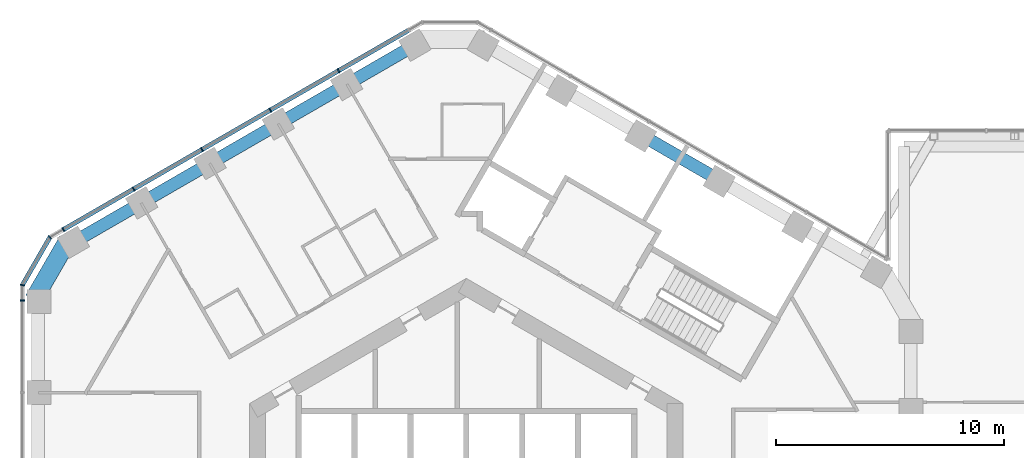
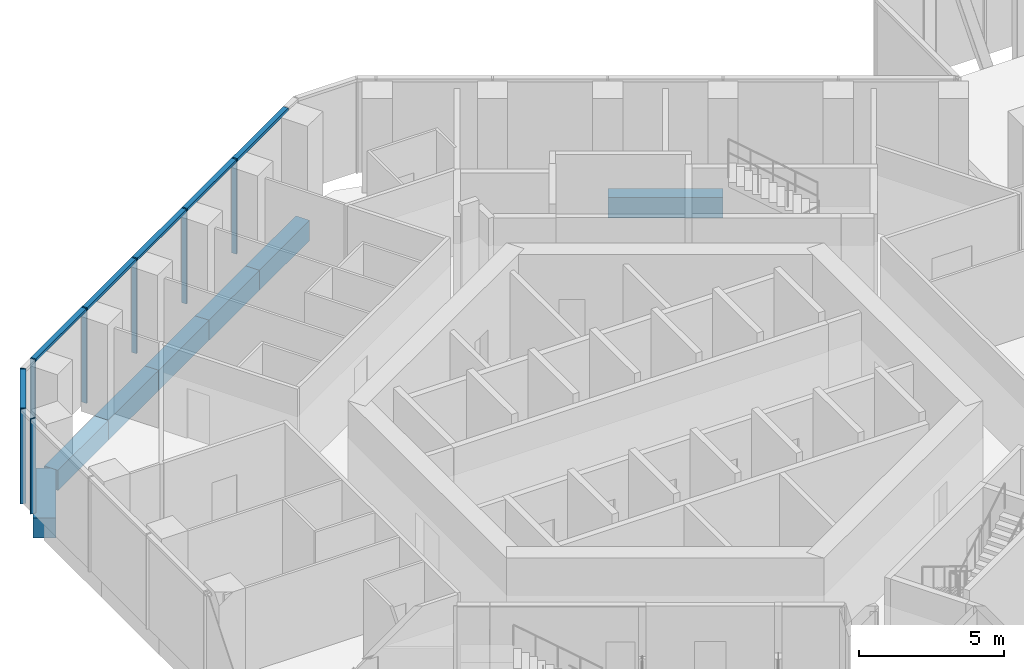
# One storey, part 7 of 24: 10 members, 7 beams, 3 elements without a shape of their own.
"""IFC4 building model written with IfcOpenShell, lengths in metres."""

from ifc_helpers import new_model, si_unit, direction, frame, origin, origin_2d, place, context, subcontext, project, spatial, rectangle, extrude, material, layer, layer_set, material_profile, profile_set, type_object, element, aggregate, save


model = new_model("IFC4")

# Units and contexts
model_context = context("Model", 3, precision=1e-05, world=origin(), true_north=direction((0.0, 1.0)))
body_context = subcontext(model_context, "Body", "Model", "MODEL_VIEW")
ifc_project = project(units=[si_unit("LENGTHUNIT", "METRE"), si_unit("AREAUNIT", "SQUARE_METRE"), si_unit("VOLUMEUNIT", "CUBIC_METRE"), si_unit("PLANEANGLEUNIT", "RADIAN"), si_unit("MASSUNIT", "GRAM", prefix="KILO")], contexts=[model_context])

# Site, building, storey
site_placement = place(None, origin())
site = spatial("IfcSite", under=ifc_project, at=site_placement, CompositionType="ELEMENT")
building_placement = place(site_placement, origin())
building = spatial("IfcBuilding", under=site, at=building_placement, Name="Ayvan Gate Tower", CompositionType="ELEMENT")
storey_placement = place(building_placement, frame((0.0, 0.0, 124.5)))
storey = spatial("IfcBuildingStorey", under=building, at=storey_placement, Name="L33", CompositionType="ELEMENT", Elevation=124.5)

# Beams
ifc_material_1 = material(Name="Concrete C40/50", Category="concrete")
ifc_material_profile_1 = material_profile(ifc_material_1, rectangle(XDim=0.800048828125, YDim=0.85009765625, at=origin_2d()), Name="RC 800x850")
ifc_profile_set_1 = profile_set([ifc_material_profile_1], Name="Concrete C40/50")
beam_type_1 = type_object("IfcBeamType", Name="Corner spandrel beam RC 800x850 C40/50", PredefinedType="BEAM", material=ifc_profile_set_1)
beam_1_placement = place(storey_placement, frame((-17.4677734375, 12.635009765625, -0.824951171875), z_axis=(-0.499990139034, -0.866031096941, 0.0), x_axis=(0.866031096941, -0.499990139034, 0.0)))
element("IfcBeam", 1, at=beam_1_placement, inside=storey, type_object=beam_type_1, Name="SB-L33-18", PredefinedType="BEAM", context=body_context, shape_type="SweptSolid", body=[
    extrude(rectangle(XDim=0.800048828125, YDim=0.85009765625, at=origin_2d()), origin(), (0.0, 0.0, 1.0), 3.0),
])
ifc_material_profile_2 = material_profile(ifc_material_1, rectangle(XDim=0.550048828125, YDim=0.85009765625, at=origin_2d()), Name="RC 550x850")
ifc_profile_set_2 = profile_set([ifc_material_profile_2], Name="Concrete C40/50")
beam_type_2 = type_object("IfcBeamType", Name="Spandrel beam RC 550x850 C40/50", PredefinedType="BEAM", material=ifc_profile_set_2)
beam_2_placement = place(storey_placement, frame((11.108154296875, 15.26904296875, -0.824951171875), z_axis=(-0.866040202709, 0.499974366635, 0.0), x_axis=(-0.499974366635, -0.866040202709, 0.0)))
element("IfcBeam", 2, at=beam_2_placement, inside=storey, type_object=beam_type_2, Name="SB-L33-9", PredefinedType="BEAM", context=body_context, shape_type="SweptSolid", body=[
    extrude(rectangle(XDim=0.550048828125, YDim=0.85009765625, at=origin_2d()), origin(), (0.0, 0.0, 1.0), 3.970947265625),
])
beam_3_placement = place(storey_placement, frame((-2.208251953125, 21.22509765625, -0.824951171875), z_axis=(-0.866037222451, -0.499979528911, 0.0), x_axis=(0.499979528911, -0.866037222451, 0.0)))
element("IfcBeam", 3, at=beam_3_placement, inside=storey, type_object=beam_type_2, Name="SB-L33-13", PredefinedType="BEAM", context=body_context, shape_type="SweptSolid", body=[
    extrude(rectangle(XDim=0.550048828125, YDim=0.85009765625, at=origin_2d()), origin(), (0.0, 0.0, 1.0), 3.480224609375),
])
beam_4_placement = place(storey_placement, frame((-5.22216796875, 19.485107421875, -0.824951171875), z_axis=(-0.86601968407, -0.500009906705, 0.0), x_axis=(0.500009906705, -0.86601968407, 0.0)))
element("IfcBeam", 4, at=beam_4_placement, inside=storey, type_object=beam_type_2, Name="SB-L33-14", PredefinedType="BEAM", context=body_context, shape_type="SweptSolid", body=[
    extrude(rectangle(XDim=0.550048828125, YDim=0.85009765625, at=origin_2d()), origin(), (0.0, 0.0, 1.0), 3.47998046875),
])
beam_5_placement = place(storey_placement, frame((-8.23583984375, 17.7451171875, -0.824951171875), z_axis=(-0.866006845662, -0.500032142234, 0.0), x_axis=(0.500032142234, -0.866006845662, 0.0)))
element("IfcBeam", 5, at=beam_5_placement, inside=storey, type_object=beam_type_2, Name="SB-L33-15", PredefinedType="BEAM", context=body_context, shape_type="SweptSolid", body=[
    extrude(rectangle(XDim=0.550048828125, YDim=0.85009765625, at=origin_2d()), origin(), (0.0, 0.0, 1.0), 3.480224609375),
])
beam_6_placement = place(storey_placement, frame((-11.249755859375, 16.0048828125, -0.824951171875), z_axis=(-0.86601968407, -0.500009906705, 0.0), x_axis=(0.500009906705, -0.86601968407, 0.0)))
element("IfcBeam", 6, at=beam_6_placement, inside=storey, type_object=beam_type_2, Name="SB-L33-16", PredefinedType="BEAM", context=body_context, shape_type="SweptSolid", body=[
    extrude(rectangle(XDim=0.550048828125, YDim=0.85009765625, at=origin_2d()), origin(), (0.0, 0.0, 1.0), 3.47998046875),
])
beam_7_placement = place(storey_placement, frame((-14.263427734375, 14.264892578125, -0.824951171875), z_axis=(-0.866037222451, -0.499979528911, 0.0), x_axis=(0.499979528911, -0.866037222451, 0.0)))
element("IfcBeam", 7, at=beam_7_placement, inside=storey, type_object=beam_type_2, Name="SB-L33-17", PredefinedType="BEAM", context=body_context, shape_type="SweptSolid", body=[
    extrude(rectangle(XDim=0.550048828125, YDim=0.85009765625, at=origin_2d()), origin(), (0.0, 0.0, 1.0), 3.480224609375),
])

# Curtain wall, members
ifc_material_2 = material(Name="Bronze anodised aluminium", Category="aluminium")
ifc_layer_1 = layer(ifc_material_2, 0.199951171875)
ifc_layer_set_1 = layer_set([ifc_layer_1], Name="Bronze anodised aluminium")
curtain_wall_type_1 = type_object("IfcCurtainWallType", Name="Stick curtain wall CW-1", PredefinedType="NOTDEFINED", material=ifc_layer_set_1)
curtain_wall_1_placement = place(storey_placement, origin())
curtain_wall_1 = element("IfcCurtainWall", 8, at=curtain_wall_1_placement, inside=storey, type_object=curtain_wall_type_1, Name="Stick curtain wall CW-1 L33", PredefinedType="NOTDEFINED")
ifc_material_profile_3 = material_profile(ifc_material_2, rectangle(XDim=0.199951171875, YDim=0.06005859375, at=origin_2d()), Name="Stick curtain wall CW-1 mullion 200 x 60")
ifc_profile_set_3 = profile_set([ifc_material_profile_3], Name="Bronze anodised aluminium")
member_type_1 = type_object("IfcMemberType", Name="Stick curtain wall CW-1 mullion 200 x 60", PredefinedType="MULLION", material=ifc_profile_set_3)
member_1_placement = place(storey_placement, frame((-5.601806640625, 20.073974609375, 0.0), z_axis=(0.0, 0.0, 1.0), x_axis=(-0.5, 0.866025403784, 0.0)))
member_1 = element("IfcMember", 9, at=member_1_placement, type_object=member_type_1, Name="CW-1 mullion 2", PredefinedType="MULLION", context=body_context, shape_type="SweptSolid", body=[
    extrude(rectangle(XDim=0.199951171875, YDim=0.06005859375, at=origin_2d()), origin(), (0.0, 0.0, 1.0), 4.0),
])
member_2_placement = place(storey_placement, frame((-8.595703125, 18.345458984375, 0.0), z_axis=(0.0, 0.0, 1.0), x_axis=(-0.5, 0.866025403784, 0.0)))
member_2 = element("IfcMember", 10, at=member_2_placement, type_object=member_type_1, Name="CW-1 mullion 3", PredefinedType="MULLION", context=body_context, shape_type="SweptSolid", body=[
    extrude(rectangle(XDim=0.199951171875, YDim=0.06005859375, at=origin_2d()), origin(), (0.0, 0.0, 1.0), 4.0),
])
member_3_placement = place(storey_placement, frame((-11.589599609375, 16.616943359375, 0.0), z_axis=(0.0, 0.0, 1.0), x_axis=(-0.5, 0.866025403784, 0.0)))
member_3 = element("IfcMember", 11, at=member_3_placement, type_object=member_type_1, Name="CW-1 mullion 4", PredefinedType="MULLION", context=body_context, shape_type="SweptSolid", body=[
    extrude(rectangle(XDim=0.199951171875, YDim=0.06005859375, at=origin_2d()), origin(), (0.0, 0.0, 1.0), 4.0),
])
member_4_placement = place(storey_placement, frame((-14.584228515625, 14.887939453125, 0.0), z_axis=(0.0, 0.0, 1.0), x_axis=(-0.5, 0.866025403784, 0.0)))
member_4 = element("IfcMember", 12, at=member_4_placement, type_object=member_type_1, Name="CW-1 mullion 5", PredefinedType="MULLION", context=body_context, shape_type="SweptSolid", body=[
    extrude(rectangle(XDim=0.199951171875, YDim=0.06005859375, at=origin_2d()), origin(), (0.0, 0.0, 1.0), 4.0),
])
member_5_placement = place(storey_placement, frame((-17.666748046875, 13.1083984375, 0.0), z_axis=(0.0, 0.0, 1.0), x_axis=(-0.5, 0.866025403784, 0.0)))
member_5 = element("IfcMember", 13, at=member_5_placement, type_object=member_type_1, Name="CW-1 mullion 6", PredefinedType="MULLION", context=body_context, shape_type="SweptSolid", body=[
    extrude(rectangle(XDim=0.199951171875, YDim=0.06005859375, at=origin_2d()), origin(), (0.0, 0.0, 1.0), 4.0),
])

# Curtain wall, member
curtain_wall_2_placement = place(storey_placement, origin())
curtain_wall_2 = element("IfcCurtainWall", 14, at=curtain_wall_2_placement, inside=storey, type_object=curtain_wall_type_1, Name="Stick curtain wall CW-1 L33", PredefinedType="NOTDEFINED")
member_6_placement = place(storey_placement, frame((-19.462890625, 9.997314453125, 0.0), z_axis=(0.0, 0.0, 1.0), x_axis=(-1.0, 0.0, 0.0)))
member_6 = element("IfcMember", 15, at=member_6_placement, type_object=member_type_1, Name="CW-1 mullion 1", PredefinedType="MULLION", context=body_context, shape_type="SweptSolid", body=[
    extrude(rectangle(XDim=0.199951171875, YDim=0.06005859375, at=origin_2d()), origin(), (0.0, 0.0, 1.0), 4.0),
])
aggregate(curtain_wall_2, [member_6])

# Member
ifc_material_profile_4 = material_profile(ifc_material_2, rectangle(XDim=0.199951171875, YDim=0.1201171875, at=origin_2d()), Name="Stick curtain wall CW-1 transom 200 x 120")
ifc_profile_set_4 = profile_set([ifc_material_profile_4], Name="Bronze anodised aluminium")
member_type_2 = type_object("IfcMemberType", Name="Stick curtain wall CW-1 transom 200 x 120", PredefinedType="USERDEFINED", material=ifc_profile_set_4)
member_7_placement = place(storey_placement, frame((-2.518798828125, 21.85400390625, 3.93994140625), z_axis=(-0.86602706466, -0.499997123268, 0.0), x_axis=(0.499997123268, -0.86602706466, 0.0)))
member_7 = element("IfcMember", 16, at=member_7_placement, type_object=member_type_2, Name="CW-1 transom 1", ObjectType="TRANSOM", PredefinedType="USERDEFINED", context=body_context, shape_type="SweptSolid", body=[
    extrude(rectangle(XDim=0.199951171875, YDim=0.1201171875, at=origin_2d()), origin(), (0.0, 0.0, 1.0), 17.4912109375),
])

aggregate(curtain_wall_1, [member_1, member_2, member_3, member_4, member_5, member_7])

# Curtain wall, members
ifc_layer_2 = layer(ifc_material_2, 0.199951171875)
ifc_layer_set_2 = layer_set([ifc_layer_2], Name="Bronze anodised aluminium")
curtain_wall_type_2 = type_object("IfcCurtainWallType", Name="Stick curtain wall CW-6", PredefinedType="NOTDEFINED", material=ifc_layer_set_2)
curtain_wall_3_placement = place(storey_placement, origin())
curtain_wall_3 = element("IfcCurtainWall", 17, at=curtain_wall_3_placement, inside=storey, type_object=curtain_wall_type_2, Name="Stick curtain wall CW-6 L33", PredefinedType="NOTDEFINED")
ifc_material_profile_5 = material_profile(ifc_material_2, rectangle(XDim=0.199951171875, YDim=0.050048828125, at=origin_2d()), Name="Stick curtain wall CW-6 mullion 200 x 50")
ifc_profile_set_5 = profile_set([ifc_material_profile_5], Name="Bronze anodised aluminium")
member_type_3 = type_object("IfcMemberType", Name="Stick curtain wall CW-6 mullion 200 x 50", PredefinedType="MULLION", material=ifc_profile_set_5)
member_8_placement = place(storey_placement, frame((-18.255615234375, 12.768310546875, 0.0), z_axis=(0.0, 0.0, 1.0), x_axis=(-0.707106781187, 0.707106781187, 0.0)))
member_8 = element("IfcMember", 18, at=member_8_placement, type_object=member_type_3, Name="CW-6 mullion 2", PredefinedType="MULLION", context=body_context, shape_type="SweptSolid", body=[
    extrude(rectangle(XDim=0.199951171875, YDim=0.050048828125, at=origin_2d()), origin(), (0.0, 0.0, 1.0), 4.0),
])
member_9_placement = place(storey_placement, frame((-19.462890625, 10.67724609375, 0.0), z_axis=(0.0, 0.0, 1.0), x_axis=(-0.965925826289, 0.258819045103, 0.0)))
member_9 = element("IfcMember", 19, at=member_9_placement, type_object=member_type_3, Name="CW-6 mullion 3", PredefinedType="MULLION", context=body_context, shape_type="SweptSolid", body=[
    extrude(rectangle(XDim=0.199951171875, YDim=0.050048828125, at=origin_2d()), origin(), (0.0, 0.0, 1.0), 4.0),
])
ifc_material_profile_6 = material_profile(ifc_material_2, rectangle(XDim=0.199951171875, YDim=0.1201171875, at=origin_2d()), Name="Stick curtain wall CW-6 transom 200 x 120")
ifc_profile_set_6 = profile_set([ifc_material_profile_6], Name="Bronze anodised aluminium")
member_type_4 = type_object("IfcMemberType", Name="Stick curtain wall CW-6 transom 200 x 120", PredefinedType="USERDEFINED", material=ifc_profile_set_6)
member_10_placement = place(storey_placement, frame((-18.26806640625, 12.746826171875, 3.93994140625), z_axis=(-0.500014398087, -0.866017090885, 0.0), x_axis=(0.866017090885, -0.500014398087, 0.0)))
member_10 = element("IfcMember", 20, at=member_10_placement, type_object=member_type_4, Name="CW-6 transom 2", ObjectType="TRANSOM", PredefinedType="USERDEFINED", context=body_context, shape_type="SweptSolid", body=[
    extrude(rectangle(XDim=0.199951171875, YDim=0.1201171875, at=origin_2d()), origin(), (0.0, 0.0, 1.0), 2.36474609375),
])
aggregate(curtain_wall_3, [member_8, member_9, member_10])

save(model, "model.ifc")
